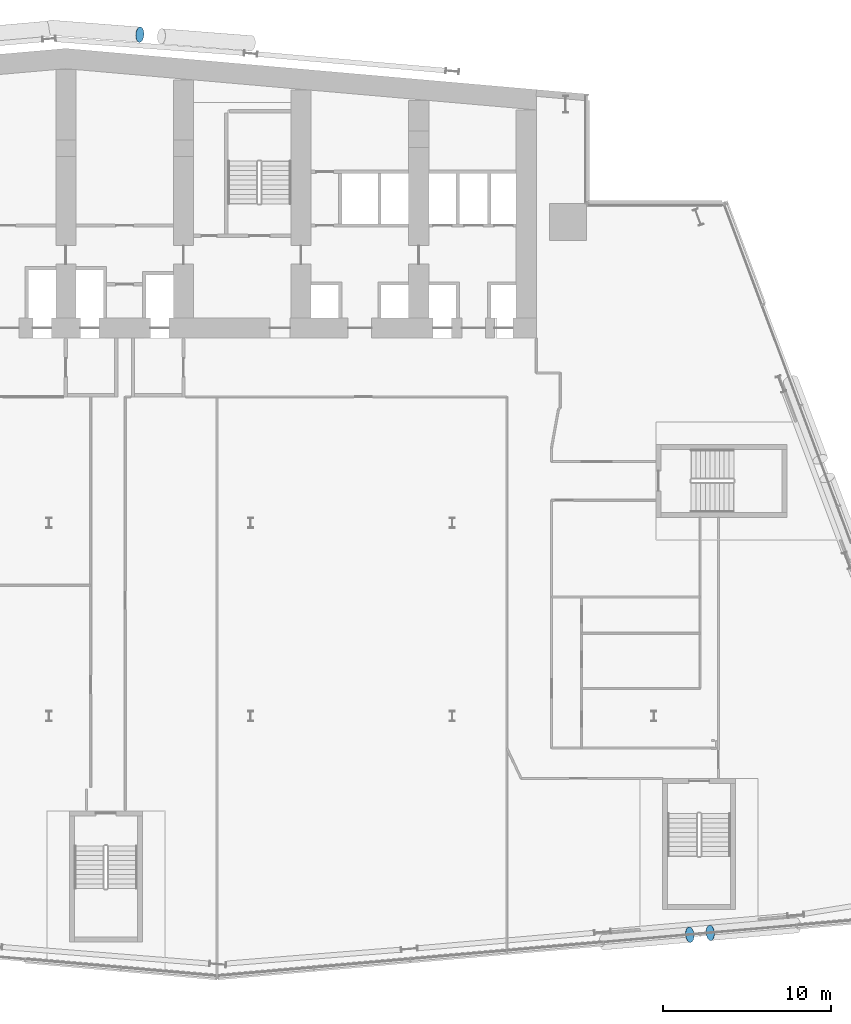
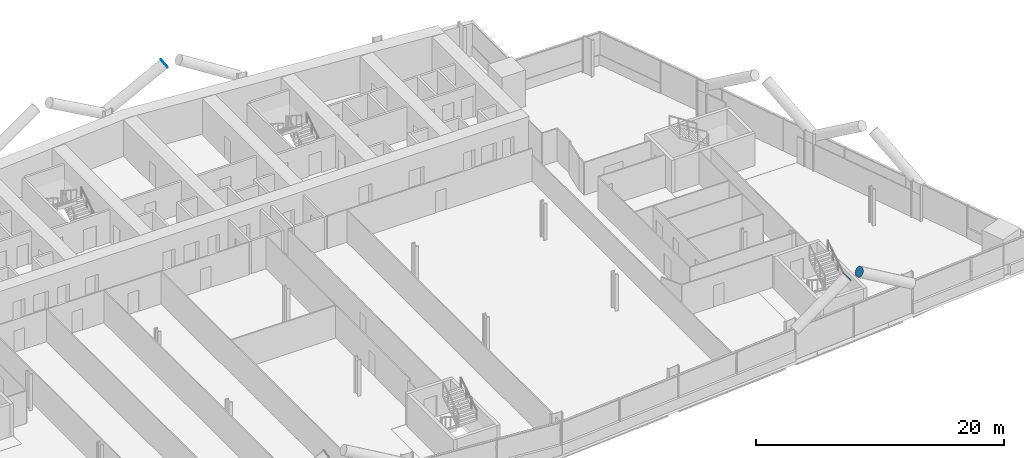
# One storey, part 19 of 24: 3 discrete accessories.
"""IFC4 building model written with IfcOpenShell, lengths in metres."""

from ifc_helpers import new_model, si_unit, direction, frame, origin, origin_2d, place, context, subcontext, project, spatial, circle, extrude, material, material_profile, profile_set, type_object, element, save


model = new_model("IFC4")

# Units and contexts
model_context = context("Model", 3, precision=1e-05, world=origin(), true_north=direction((0.0, 1.0)))
body_context = subcontext(model_context, "Body", "Model", "MODEL_VIEW")
ifc_project = project(units=[si_unit("LENGTHUNIT", "METRE"), si_unit("AREAUNIT", "SQUARE_METRE"), si_unit("VOLUMEUNIT", "CUBIC_METRE"), si_unit("PLANEANGLEUNIT", "RADIAN"), si_unit("MASSUNIT", "GRAM", prefix="KILO")], contexts=[model_context])

# Site, building, storey
site_placement = place(None, origin())
site = spatial("IfcSite", under=ifc_project, at=site_placement, CompositionType="ELEMENT")
building_placement = place(site_placement, origin())
building = spatial("IfcBuilding", under=site, at=building_placement, Name="Wharfspan Tower", CompositionType="ELEMENT")
storey_placement = place(building_placement, frame((0.0, 0.0, 66.699951)))
storey = spatial("IfcBuildingStorey", under=building, at=storey_placement, Name="L13", CompositionType="ELEMENT", Elevation=66.699951)

# Discrete accessories
ifc_material = material(Name="Steel S460NH", Category="steel")
ifc_material_profile = material_profile(ifc_material, circle(Radius=0.457031, at=origin_2d()))
ifc_profile_set = profile_set([ifc_material_profile], Name="Steel S460NH")
discrete_accessory_type = type_object("IfcDiscreteAccessoryType", Name="End plate CHS 914x40", PredefinedType="BRACKET", material=ifc_profile_set)
for number, where, z_axis, x_axis, name in (
    (1, (74.12915, -1.508301, 6.114258), (0.837276, 0.073877, 0.541767), (-0.087893, 0.996132, -1e-06), "End plate CHS 914x40"),
    (2, (75.361328, -1.400391, 6.114258), (-0.844416, -0.072379, 0.530776), (0.085402, -0.99635, 0.0), "End plate CHS 914x40"),
    (3, (41.396484, 52.060791, 6.109863), (0.856465, -0.048941, 0.513879), (0.05705, 0.998372, 0.0), "End plate CHS 914x40"),
):
    element("IfcDiscreteAccessory", number, at=place(storey_placement, frame(where, z_axis=z_axis, x_axis=x_axis)), inside=storey, type_object=discrete_accessory_type, Name=name, PredefinedType="BRACKET", context=body_context, shape_type="SweptSolid", body=[
        extrude(circle(Radius=0.457031, at=origin_2d()), origin(), (0.0, 0.0, 1.0), 0.01001),
    ])

save(model, "model.ifc")
